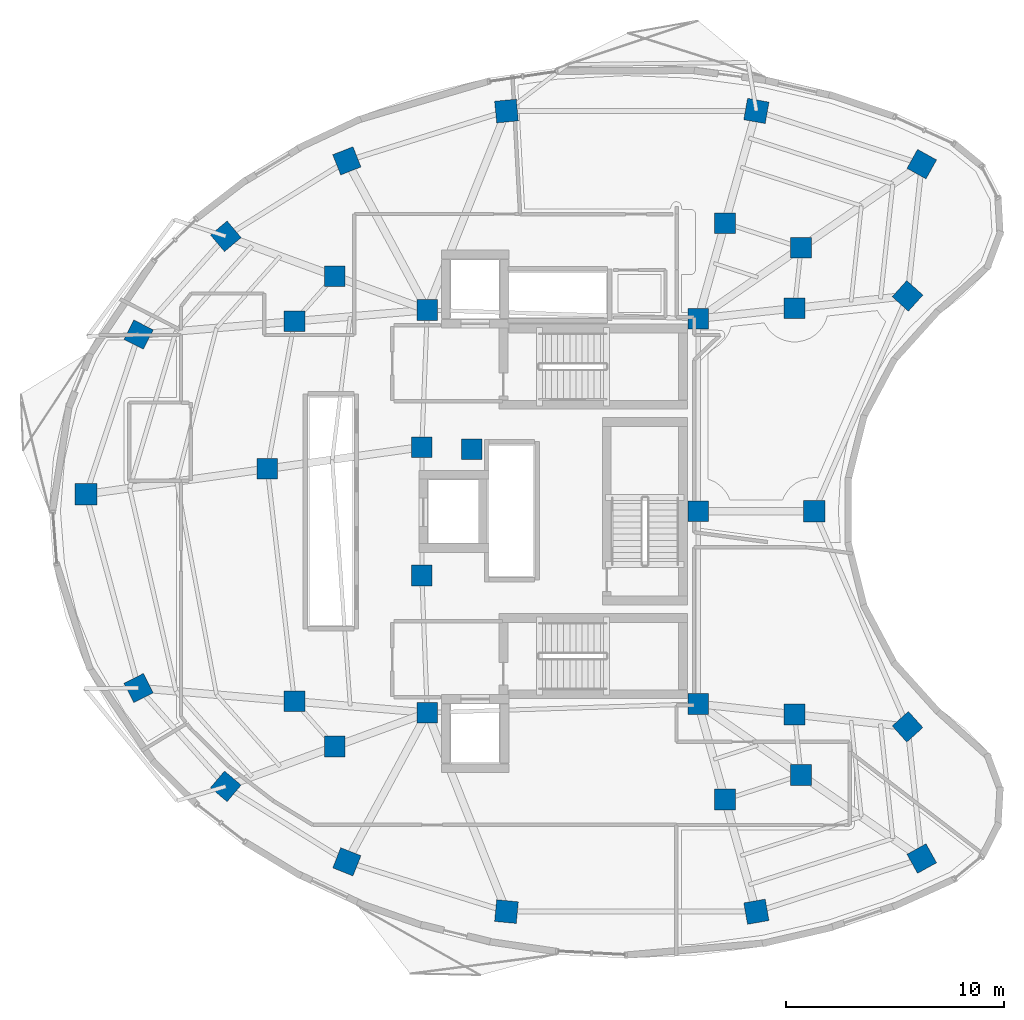
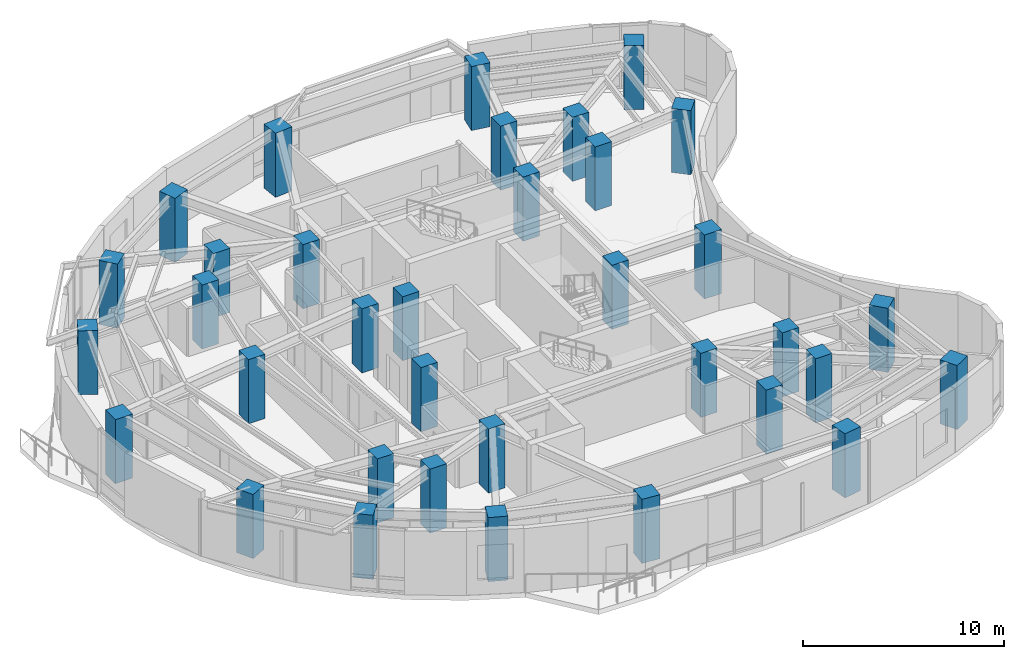
# One storey, part 1 of 12: 35 columns.
"""IFC4 building model written with IfcOpenShell, lengths in metres."""

from ifc_helpers import new_model, si_unit, direction, frame, origin, origin_2d, place, context, subcontext, project, spatial, rectangle, extrude, material, material_profile, profile_set, type_object, element, save


model = new_model("IFC4")

# Units and contexts
model_context = context("Model", 3, precision=1e-05, world=origin(), true_north=direction((0.0, 1.0)))
body_context = subcontext(model_context, "Body", "Model", "MODEL_VIEW")
ifc_project = project(units=[si_unit("LENGTHUNIT", "METRE"), si_unit("AREAUNIT", "SQUARE_METRE"), si_unit("VOLUMEUNIT", "CUBIC_METRE"), si_unit("PLANEANGLEUNIT", "RADIAN"), si_unit("MASSUNIT", "GRAM", prefix="KILO")], contexts=[model_context])

# Site, building, storey
site_placement = place(None, origin())
site = spatial("IfcSite", under=ifc_project, at=site_placement, CompositionType="ELEMENT")
building_placement = place(site_placement, origin())
building = spatial("IfcBuilding", under=site, at=building_placement, Name="Korentha Bioscience Tower", CompositionType="ELEMENT")
storey_placement = place(building_placement, frame((0.0, 0.0, 179.39990234375)))
storey = spatial("IfcBuildingStorey", under=building, at=storey_placement, Name="L41", CompositionType="ELEMENT", Elevation=179.39990234375)

# Columns
ifc_material = material(Name="Concrete C65", Category="concrete")
ifc_material_profile_1 = material_profile(ifc_material, rectangle(XDim=0.949951171875, YDim=0.949951171875, at=origin_2d()), Name="Concrete C65")
ifc_profile_set_1 = profile_set([ifc_material_profile_1], Name="Concrete C65 (COL-CP09)")
column_type_1 = type_object("IfcColumnType", Name="Core Pilaster Column RC 950x950", PredefinedType="PILASTER", material=ifc_profile_set_1)
for number, where, z_axis, x_axis, name in (
    (1, (37.550048828125, 35.85009765625, -0.00048828125), (0.0, 0.0, 1.0), (1.0, 0.0, 0.0), "L41 Core Pilaster CP-01"),
    (2, (25.10009765625, 36.25, -0.00048828125), (0.0, 0.0, 1.0), (1.0, 0.0, 0.0), "L41 Core Pilaster CP-02"),
    (3, (24.85009765625, 29.949951171875, -0.00048828125), (0.0, 0.0, 1.0), (1.0, 0.0, 0.0), "L41 Core Pilaster CP-03"),
    (4, (27.14990234375, 29.85009765625, -0.00048828125), (0.0, 0.0, 1.0), (1.0, 0.0, 0.0), "L41 Core Pilaster CP-04"),
    (5, (24.85009765625, 24.050048828125, -0.00048828125), (0.0, 0.0, 1.0), (1.0, 0.0, 0.0), "L41 Core Pilaster CP-05"),
    (6, (25.10009765625, 17.75, -0.00048828125), (0.0, 0.0, 1.0), (1.0, 0.0, 0.0), "L41 Core Pilaster CP-06"),
    (7, (37.550048828125, 18.14990234375, -0.00048828125), (0.0, 0.0, 1.0), (1.0, 0.0, 0.0), "L41 Core Pilaster CP-07"),
    (8, (37.550048828125, 27.0, -0.00048828125), (0.0, 0.0, 1.0), (1.0, 0.0, 0.0), "L41 Core Pilaster CP-08"),
):
    element("IfcColumn", number, at=place(storey_placement, frame(where, z_axis=z_axis, x_axis=x_axis)), inside=storey, type_object=column_type_1, Name=name, PredefinedType="PILASTER", context=body_context, shape_type="SweptSolid", body=[
        extrude(rectangle(XDim=0.949951171875, YDim=0.949951171875, at=origin_2d()), origin(), (0.0, 0.0, 1.0), 3.901123046875),
    ])
ifc_material_profile_2 = material_profile(ifc_material, rectangle(XDim=0.949951171875, YDim=0.949951171875, at=origin_2d()), Name="Concrete C65")
ifc_profile_set_2 = profile_set([ifc_material_profile_2], Name="Concrete C65 (COL-MR09)")
column_type_2 = type_object("IfcColumnType", Name="Mid-Ring Lab Column RC 950x950", PredefinedType="COLUMN", material=ifc_profile_set_2)
for number, where, z_axis, x_axis, name in (
    (9, (42.274658203125, 39.1171875, -0.00048828125), (0.0, 0.0, 1.0), (1.0, 0.0, 0.0), "L41 Mid-Ring Column 01"),
    (10, (38.77880859375, 40.2412109375, -0.00048828125), (0.0, 0.0, 1.0), (1.0, 0.0, 0.0), "L41 Mid-Ring Column 02"),
    (11, (20.84228515625, 37.807861328125, -0.00048828125), (0.0, 0.0, 1.0), (1.0, 0.0, 0.0), "L41 Mid-Ring Column 05"),
    (12, (18.99951171875, 35.72998046875, -0.00048828125), (0.0, 0.0, 1.0), (1.0, 0.0, 0.0), "L41 Mid-Ring Column 06"),
    (13, (17.75341796875, 28.95458984375, -0.00048828125), (0.0, 0.0, 1.0), (1.0, 0.0, 0.0), "L41 Mid-Ring Column 07"),
    (14, (18.99951171875, 18.27001953125, -0.00048828125), (0.0, 0.0, 1.0), (1.0, 0.0, 0.0), "L41 Mid-Ring Column 08"),
    (15, (20.84228515625, 16.192138671875, -0.00048828125), (0.0, 0.0, 1.0), (1.0, 0.0, 0.0), "L41 Mid-Ring Column 09"),
    (16, (38.77880859375, 13.7587890625, -0.00048828125), (0.0, 0.0, 1.0), (1.0, 0.0, 0.0), "L41 Mid-Ring Column 12"),
    (17, (42.274658203125, 14.8828125, -0.00048828125), (0.0, 0.0, 1.0), (1.0, 0.0, 0.0), "L41 Mid-Ring Column 13"),
    (18, (41.97412109375, 17.66796875, -0.00048828125), (0.0, 0.0, 1.0), (1.0, 0.0, 0.0), "L41 Mid-Ring Column 14"),
    (19, (41.97412109375, 36.33203125, -0.00048828125), (0.0, 0.0, 1.0), (1.0, 0.0, 0.0), "L41 Mid-Ring Column 16"),
):
    element("IfcColumn", number, at=place(storey_placement, frame(where, z_axis=z_axis, x_axis=x_axis)), inside=storey, type_object=column_type_2, Name=name, PredefinedType="COLUMN", context=body_context, shape_type="SweptSolid", body=[
        extrude(rectangle(XDim=0.949951171875, YDim=0.949951171875, at=origin_2d()), origin(), (0.0, 0.0, 1.0), 3.901123046875),
    ])
ifc_material_profile_3 = material_profile(ifc_material, rectangle(XDim=1.0, YDim=1.0, at=origin_2d()), Name="Concrete C65")
ifc_profile_set_3 = profile_set([ifc_material_profile_3], Name="Concrete C65 (COL-P10)")
column_type_3 = type_object("IfcColumnType", Name="Perimeter Column RC 1000x1000", PredefinedType="COLUMN", material=ifc_profile_set_3)
for number, where, z_axis, x_axis, name in (
    (20, (47.821044921875, 42.95263671875, -0.00048828125), (0.0, 0.0, 1.0), (-0.874535078577, 0.484962262797, 0.0), "L41 Perimeter Column 01"),
    (21, (40.22119140625, 45.39599609375, -0.00048828125), (0.0, 0.0, 1.0), (-0.984868307662, 0.173304404339, 0.0), "L41 Perimeter Column 02"),
    (22, (28.739501953125, 45.390380859375, -0.00048828125), (0.0, 0.0, 1.0), (0.995462868748, 0.095150811579, 0.0), "L41 Perimeter Column 03"),
    (23, (21.405517578125, 43.102783203125, -0.00048828125), (0.0, 0.0, 1.0), (0.930225540858, 0.366988341962, 0.0), "L41 Perimeter Column 04"),
    (24, (15.843994140625, 39.63671875, -0.00048828125), (0.0, 0.0, 1.0), (0.764246456939, 0.644924300253, 0.0), "L41 Perimeter Column 05"),
    (25, (11.837890625, 35.119384765625, -0.00048828125), (0.0, 0.0, 1.0), (0.453057191132, 0.891481453292, 0.0), "L41 Perimeter Column 06"),
    (26, (9.422607421875, 27.785888671875, -0.00048828125), (0.0, 0.0, 1.0), (0.0, 1.0, 0.0), "L41 Perimeter Column 07"),
    (27, (11.837890625, 18.880615234375, -0.00048828125), (0.0, 0.0, 1.0), (-0.453057191132, 0.891481453292, 0.0), "L41 Perimeter Column 08"),
    (28, (15.843994140625, 14.36328125, -0.00048828125), (0.0, 0.0, 1.0), (-0.764246456939, 0.644924300253, 0.0), "L41 Perimeter Column 09"),
    (29, (21.405517578125, 10.897216796875, -0.00048828125), (0.0, 0.0, 1.0), (-0.930225540858, 0.366988341962, 0.0), "L41 Perimeter Column 10"),
    (30, (28.739501953125, 8.609619140625, -0.00048828125), (0.0, 0.0, 1.0), (-0.995462868748, 0.095150811579, 0.0), "L41 Perimeter Column 11"),
    (31, (40.22119140625, 8.60400390625, -0.00048828125), (0.0, 0.0, 1.0), (0.984868307662, 0.173304404339, 0.0), "L41 Perimeter Column 12"),
    (32, (47.821044921875, 11.04736328125, -0.00048828125), (0.0, 0.0, 1.0), (0.874535078577, 0.484962262797, 0.0), "L41 Perimeter Column 13"),
    (33, (47.16748046875, 17.10205078125, -0.00048828125), (0.0, 0.0, 1.0), (-0.669130606359, 0.743144825477, 0.0), "L41 Perimeter Column 14"),
    (34, (42.8818359375, 27.0, -0.00048828125), (0.0, 0.0, 1.0), (0.0, 1.0, 0.0), "L41 Perimeter Column 15"),
    (35, (47.16748046875, 36.89794921875, -0.00048828125), (0.0, 0.0, 1.0), (0.669130606359, 0.743144825477, 0.0), "L41 Perimeter Column 16"),
):
    element("IfcColumn", number, at=place(storey_placement, frame(where, z_axis=z_axis, x_axis=x_axis)), inside=storey, type_object=column_type_3, Name=name, PredefinedType="COLUMN", context=body_context, shape_type="SweptSolid", body=[
        extrude(rectangle(XDim=1.0, YDim=1.0, at=origin_2d()), origin(), (0.0, 0.0, 1.0), 3.901123046875),
    ])

save(model, "model.ifc")
